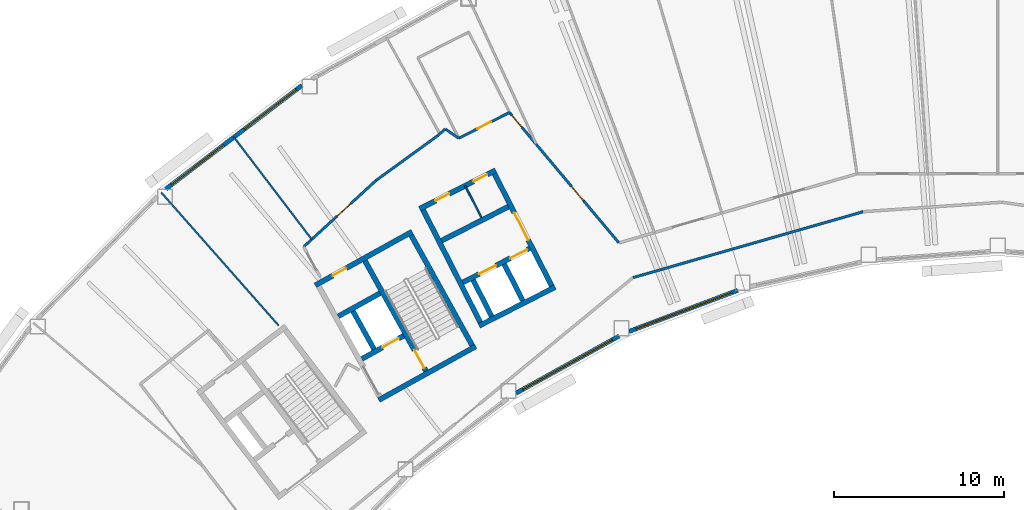
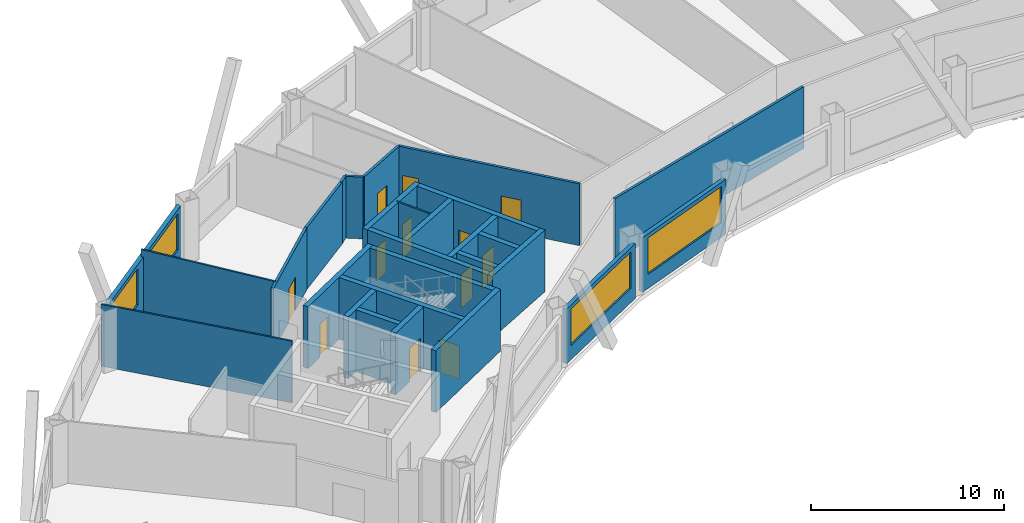
# One storey, part 6 of 14: 28 walls, 12 doors, 4 windows, 16 openings.
"""IFC4 building model written with IfcOpenShell, lengths in metres."""

from ifc_helpers import new_model, si_unit, direction, frame, frame_2d, origin, place, context, subcontext, project, spatial, rectangle, extrude, material, layer, layer_set, type_object, element, fill, save


model = new_model("IFC4")

# Units and contexts
model_context = context("Model", 3, precision=1e-05, world=origin(), true_north=direction((0.0, 1.0)))
body_context = subcontext(model_context, "Body", "Model", "MODEL_VIEW")
ifc_project = project(units=[si_unit("LENGTHUNIT", "METRE"), si_unit("AREAUNIT", "SQUARE_METRE"), si_unit("VOLUMEUNIT", "CUBIC_METRE"), si_unit("PLANEANGLEUNIT", "RADIAN"), si_unit("MASSUNIT", "GRAM", prefix="KILO")], contexts=[model_context])

# Site, building, storey
site_placement = place(None, origin())
site = spatial("IfcSite", under=ifc_project, at=site_placement, CompositionType="ELEMENT")
building_placement = place(site_placement, origin())
building = spatial("IfcBuilding", under=site, at=building_placement, Name="Tuul Gate Civic Tower", CompositionType="ELEMENT")
storey_placement = place(building_placement, frame((0.0, 0.0, 209.5)))
storey = spatial("IfcBuildingStorey", under=building, at=storey_placement, Name="Level 47", CompositionType="ELEMENT", Elevation=209.5)

# Wall
ifc_material_1 = material(Name="Concrete C50/60", Category="concrete")
ifc_layer_1 = layer(ifc_material_1, 0.300048828125)
ifc_layer_set_1 = layer_set([ifc_layer_1], Name="Concrete C50/60")
wall_type_1 = type_object("IfcWallType", Name="Core wall C50/60", PredefinedType="SHEAR", material=ifc_layer_set_1)
wall_1_placement = place(storey_placement, frame((-24.711669921875, -8.7158203125, 0.0), z_axis=(0.0, 0.0, 1.0), x_axis=(-0.874629909008, -0.484791215132, 0.0)))
element("IfcWall", 1, at=wall_1_placement, inside=storey, type_object=wall_type_1, Name="Core wall", PredefinedType="SHEAR", context=body_context, shape_type="SweptSolid", body=[
    extrude(rectangle(XDim=6.5, YDim=0.300048828125, at=frame_2d((3.25, 0.0))), origin(), (0.0, 0.0, 1.0), 3.89990234375),
])

# Wall, opening, door
wall_2_placement = place(storey_placement, frame((-28.94580078125, -8.090087890625, 0.0), z_axis=(0.0, 0.0, 1.0), x_axis=(-0.874629840737, -0.484791338301, 0.0)))
wall_2 = element("IfcWall", 2, at=wall_2_placement, inside=storey, type_object=wall_type_1, Name="Core wall", PredefinedType="SHEAR", context=body_context, shape_type="SweptSolid", body=[
    extrude(rectangle(XDim=2.800048828125, YDim=0.300048828125, at=frame_2d((1.39990234375, 0.0))), origin(), (0.0, 0.0, 1.0), 3.89990234375),
])
opening_1_placement = place(wall_2_placement, frame((0.324951171875, 0.0, 0.0)))
opening_1 = element("IfcOpeningElement", 3, at=opening_1_placement, cuts=wall_2, Name="Opening LD-FF-1", PredefinedType="OPENING", context=body_context, shape_type="SweptSolid", body=[
    extrude(rectangle(XDim=1.10009765625, YDim=2.10009765625, at=frame_2d((0.550048828125, 1.050048828125))), frame((0.0, 0.16015625, 0.0), z_axis=(0.0, -1.0, 0.0), x_axis=(1.0, 0.0, 0.0)), (0.0, 0.0, 1.0), 0.320068359375),
])
ifc_material_2 = material(Name="Stainless steel", Category="steel")
door_type_1 = type_object("IfcDoorType", Name="Landing door", OperationType="DOUBLE_DOOR_SLIDING", PredefinedType="DOOR", material=ifc_material_2)
door_1_placement = place(opening_1_placement, origin())
door_1 = element("IfcDoor", 4, at=door_1_placement, inside=storey, type_object=door_type_1, Name="Fire-fighting lift FF-1 landing door", OperationType="DOUBLE_DOOR_SLIDING", OverallHeight=2.10009765625, OverallWidth=1.10009765625, PredefinedType="DOOR", context=body_context, shape_type="SweptSolid", body=[
    extrude(rectangle(XDim=1.10009765625, YDim=2.10009765625, at=frame_2d((0.550048828125, 1.050048828125))), frame((0.0, 0.02490234375, 0.0), z_axis=(0.0, -1.0, 0.0), x_axis=(1.0, 0.0, 0.0)), (0.0, 0.0, 1.0), 0.050048828125),
])
fill(opening_1, door_1)

# Wall
wall_3_placement = place(storey_placement, frame((-30.327392578125, -5.59716796875, 0.0), z_axis=(0.0, 0.0, 1.0), x_axis=(-0.874629840737, -0.484791338301, 0.0)))
element("IfcWall", 5, at=wall_3_placement, inside=storey, type_object=wall_type_1, Name="Core wall", PredefinedType="SHEAR", context=body_context, shape_type="SweptSolid", body=[
    extrude(rectangle(XDim=2.800048828125, YDim=0.300048828125, at=frame_2d((1.39990234375, 0.0))), origin(), (0.0, 0.0, 1.0), 3.89990234375),
])

# Wall, opening, door
wall_4_placement = place(storey_placement, frame((-28.4443359375, -1.98095703125, 0.0), z_axis=(0.0, 0.0, 1.0), x_axis=(-0.874629909008, -0.484791215132, 0.0)))
wall_4 = element("IfcWall", 6, at=wall_4_placement, inside=storey, type_object=wall_type_1, Name="Core wall", PredefinedType="SHEAR", context=body_context, shape_type="SweptSolid", body=[
    extrude(rectangle(XDim=6.5, YDim=0.300048828125, at=frame_2d((3.25, 0.0))), origin(), (0.0, 0.0, 1.0), 3.89990234375),
])
opening_2_placement = place(wall_4_placement, frame((4.425048828125, 0.0, 0.0)))
opening_2 = element("IfcOpeningElement", 7, at=opening_2_placement, cuts=wall_4, Name="Opening Q-D27", PredefinedType="OPENING", context=body_context, shape_type="SweptSolid", body=[
    extrude(rectangle(XDim=0.89990234375, YDim=2.10009765625, at=frame_2d((0.449951171875, 1.050048828125))), frame((0.0, 0.16015625, 0.0), z_axis=(0.0, -1.0, 0.0), x_axis=(1.0, 0.0, 0.0)), (0.0, 0.0, 1.0), 0.320068359375),
])
ifc_material_3 = material(Name="Timber door leaf", Category="wood")
door_type_2 = type_object("IfcDoorType", Name="Door D09", OperationType="NOTDEFINED", PredefinedType="DOOR", material=ifc_material_3)
door_2_placement = place(opening_2_placement, origin())
door_2 = element("IfcDoor", 8, at=door_2_placement, inside=storey, type_object=door_type_2, Name="Door Q-D27", OperationType="SINGLE_SWING_LEFT", OverallHeight=2.10009765625, OverallWidth=0.89990234375, PredefinedType="DOOR", context=body_context, shape_type="SweptSolid", body=[
    extrude(rectangle(XDim=0.89990234375, YDim=2.10009765625, at=frame_2d((0.449951171875, 1.050048828125))), frame((0.0, 0.02490234375, 0.0), z_axis=(0.0, -1.0, 0.0), x_axis=(1.0, 0.0, 0.0)), (0.0, 0.0, 1.0), 0.050048828125),
])
fill(opening_2, door_2)

# Wall
wall_5_placement = place(storey_placement, frame((-24.91552734375, -8.6572265625, 0.0), z_axis=(0.0, 0.0, 1.0), x_axis=(-0.484777133038, 0.874637714304, 0.0)))
element("IfcWall", 9, at=wall_5_placement, inside=storey, type_object=wall_type_1, Name="Core wall", PredefinedType="SHEAR", context=body_context, shape_type="SweptSolid", body=[
    extrude(rectangle(XDim=7.400146484375, YDim=0.300048828125, at=frame_2d((3.7001953125, 0.0))), origin(), (0.0, 0.0, 1.0), 3.89990234375),
])

# Wall, opening, door
wall_6_placement = place(storey_placement, frame((-27.626953125, -10.16015625, 0.0), z_axis=(0.0, 0.0, 1.0), x_axis=(-0.484751894226, 0.874651702704, 0.0)))
wall_6 = element("IfcWall", 10, at=wall_6_placement, inside=storey, type_object=wall_type_1, Name="Core wall", PredefinedType="SHEAR", context=body_context, shape_type="SweptSolid", body=[
    extrude(rectangle(XDim=7.39990234375, YDim=0.300048828125, at=frame_2d((3.699951171875, 0.0))), origin(), (0.0, 0.0, 1.0), 3.89990234375),
])
opening_3_placement = place(wall_6_placement, frame((0.199951171875, 0.0, 0.0)))
opening_3 = element("IfcOpeningElement", 11, at=opening_3_placement, cuts=wall_6, Name="Opening SD-ST-2", PredefinedType="OPENING", context=body_context, shape_type="SweptSolid", body=[
    extrude(rectangle(XDim=1.199951171875, YDim=2.10009765625, at=frame_2d((0.60009765625, 1.050048828125))), frame((0.0, 0.16015625, 0.0), z_axis=(0.0, -1.0, 0.0), x_axis=(1.0, 0.0, 0.0)), (0.0, 0.0, 1.0), 0.320068359375),
])
ifc_material_4 = material(Name="Steel", Category="steel")
door_type_3 = type_object("IfcDoorType", Name="Stair door", OperationType="NOTDEFINED", PredefinedType="DOOR", material=ifc_material_4)
door_3_placement = place(opening_3_placement, origin())
door_3 = element("IfcDoor", 12, at=door_3_placement, inside=storey, type_object=door_type_3, Name="Stair door ST-2", OperationType="SINGLE_SWING_LEFT", OverallHeight=2.10009765625, OverallWidth=1.199951171875, PredefinedType="DOOR", context=body_context, shape_type="SweptSolid", body=[
    extrude(rectangle(XDim=1.199951171875, YDim=2.10009765625, at=frame_2d((0.60009765625, 1.050048828125))), frame((0.0, 0.02490234375, 0.0), z_axis=(0.0, -1.0, 0.0), x_axis=(1.0, 0.0, 0.0)), (0.0, 0.0, 1.0), 0.050048828125),
])
fill(opening_3, door_3)

# Wall
wall_7_placement = place(storey_placement, frame((-30.680419921875, -8.8798828125, 0.0), z_axis=(0.0, 0.0, 1.0), x_axis=(-0.484724115216, 0.874667097888, 0.0)))
element("IfcWall", 13, at=wall_7_placement, inside=storey, type_object=wall_type_1, Name="Core wall", PredefinedType="SHEAR", context=body_context, shape_type="SweptSolid", body=[
    extrude(rectangle(XDim=2.550048828125, YDim=0.300048828125, at=frame_2d((1.27490234375, 0.0))), origin(), (0.0, 0.0, 1.0), 3.89990234375),
])

# Wall, openings, doors
ifc_material_5 = material(Name="Gypsum board partition")
ifc_layer_2 = layer(ifc_material_5, 0.14990234375)
ifc_layer_set_2 = layer_set([ifc_layer_2], Name="Gypsum board partition")
wall_type_2 = type_object("IfcWallType", Name="Corridor wall P150", PredefinedType="PARTITIONING", material=ifc_layer_set_2)
wall_8_placement = place(storey_placement, frame((-22.725341796875, 5.02001953125, 0.0), z_axis=(0.0, 0.0, 1.0), x_axis=(0.642708565691, -0.766110761957, 0.0)))
wall_8 = element("IfcWall", 14, at=wall_8_placement, inside=storey, type_object=wall_type_2, Name="p038", PredefinedType="PARTITIONING", context=body_context, shape_type="SweptSolid", body=[
    extrude(rectangle(XDim=9.985107421875, YDim=0.14990234375, at=frame_2d((4.99267578125, 0.0))), origin(), (0.0, 0.0, 1.0), 3.89990234375),
])
opening_4_placement = place(wall_8_placement, frame((5.66748046875, 0.0, 0.0)))
opening_4 = element("IfcOpeningElement", 15, at=opening_4_placement, cuts=wall_8, Name="Opening Q-D15", PredefinedType="OPENING", context=body_context, shape_type="SweptSolid", body=[
    extrude(rectangle(XDim=1.10009765625, YDim=2.10009765625, at=frame_2d((0.550048828125, 1.050048828125))), frame((0.0, 0.0849609375, 0.0), z_axis=(0.0, -1.0, 0.0), x_axis=(1.0, 0.0, 0.0)), (0.0, 0.0, 1.0), 0.169921875),
])
opening_5_placement = place(wall_8_placement, frame((0.23193359375, 0.0, 0.0)))
opening_5 = element("IfcOpeningElement", 16, at=opening_5_placement, cuts=wall_8, Name="Opening Q-D25", PredefinedType="OPENING", context=body_context, shape_type="SweptSolid", body=[
    extrude(rectangle(XDim=0.89990234375, YDim=2.10009765625, at=frame_2d((0.449951171875, 1.050048828125))), frame((0.0, 0.0849609375, 0.0), z_axis=(0.0, -1.0, 0.0), x_axis=(1.0, 0.0, 0.0)), (0.0, 0.0, 1.0), 0.169921875),
])
door_4_placement = place(opening_5_placement, frame((0.89990234375, 0.0, 0.0), z_axis=(0.0, 0.0, 1.0), x_axis=(-1.0, 0.0, 0.0)))
door_4 = element("IfcDoor", 17, at=door_4_placement, inside=storey, type_object=door_type_2, Name="Door Q-D25", OperationType="SINGLE_SWING_RIGHT", OverallHeight=2.10009765625, OverallWidth=0.89990234375, PredefinedType="DOOR", context=body_context, shape_type="SweptSolid", body=[
    extrude(rectangle(XDim=0.89990234375, YDim=2.10009765625, at=frame_2d((0.449951171875, 1.050048828125))), frame((0.0, 0.02490234375, 0.0), z_axis=(0.0, -1.0, 0.0), x_axis=(1.0, 0.0, 0.0)), (0.0, 0.0, 1.0), 0.050048828125),
])
fill(opening_5, door_4)
ifc_material_6 = material(Name="Timber door leaf", Category="wood")
door_type_4 = type_object("IfcDoorType", Name="Door D11", OperationType="NOTDEFINED", PredefinedType="DOOR", material=ifc_material_6)
door_5_placement = place(opening_4_placement, origin())
door_5 = element("IfcDoor", 18, at=door_5_placement, inside=storey, type_object=door_type_4, Name="Door Q-D15", OperationType="SINGLE_SWING_RIGHT", OverallHeight=2.10009765625, OverallWidth=1.10009765625, PredefinedType="DOOR", context=body_context, shape_type="SweptSolid", body=[
    extrude(rectangle(XDim=1.10009765625, YDim=2.10009765625, at=frame_2d((0.550048828125, 1.050048828125))), frame((0.0, 0.02490234375, 0.0), z_axis=(0.0, -1.0, 0.0), x_axis=(1.0, 0.0, 0.0)), (0.0, 0.0, 1.0), 0.050048828125),
])
fill(opening_4, door_5)

# Wall
wall_9_placement = place(storey_placement, frame((-30.564453125, 1.026611328125, 0.0), z_axis=(0.0, 0.0, 1.0), x_axis=(0.809223734311, 0.587500593896, 0.0)))
element("IfcWall", 19, at=wall_9_placement, inside=storey, type_object=wall_type_2, Name="p040", PredefinedType="PARTITIONING", context=body_context, shape_type="SweptSolid", body=[
    extrude(rectangle(XDim=4.457275390625, YDim=0.14990234375, at=frame_2d((2.228515625, 0.0))), origin(), (0.0, 0.0, 1.0), 3.89990234375),
])

# Wall, opening, door
wall_10_placement = place(storey_placement, frame((-25.702392578125, 3.503173828125, 0.0), z_axis=(0.0, 0.0, 1.0), x_axis=(0.891065074367, 0.453875570221, 0.0)))
wall_10 = element("IfcWall", 20, at=wall_10_placement, inside=storey, type_object=wall_type_2, Name="p041", PredefinedType="PARTITIONING", context=body_context, shape_type="SweptSolid", body=[
    extrude(rectangle(XDim=3.3505859375, YDim=0.14990234375, at=frame_2d((1.67529296875, 0.0))), origin(), (0.0, 0.0, 1.0), 3.89990234375),
])
opening_6_placement = place(wall_10_placement, frame((1.2265625, 0.0, 0.0)))
opening_6 = element("IfcOpeningElement", 21, at=opening_6_placement, cuts=wall_10, Name="Opening Q-D16", PredefinedType="OPENING", context=body_context, shape_type="SweptSolid", body=[
    extrude(rectangle(XDim=0.89990234375, YDim=2.10009765625, at=frame_2d((0.449951171875, 1.050048828125))), frame((0.0, 0.0849609375, 0.0), z_axis=(0.0, -1.0, 0.0), x_axis=(1.0, 0.0, 0.0)), (0.0, 0.0, 1.0), 0.169921875),
])
door_6_placement = place(opening_6_placement, origin())
door_6 = element("IfcDoor", 22, at=door_6_placement, inside=storey, type_object=door_type_2, Name="Door Q-D16", OperationType="SINGLE_SWING_RIGHT", OverallHeight=2.10009765625, OverallWidth=0.89990234375, PredefinedType="DOOR", context=body_context, shape_type="SweptSolid", body=[
    extrude(rectangle(XDim=0.89990234375, YDim=2.10009765625, at=frame_2d((0.449951171875, 1.050048828125))), frame((0.0, 0.02490234375, 0.0), z_axis=(0.0, -1.0, 0.0), x_axis=(1.0, 0.0, 0.0)), (0.0, 0.0, 1.0), 0.050048828125),
])
fill(opening_6, door_6)

# Wall
wall_11_placement = place(storey_placement, frame((-26.957275390625, 3.64599609375, 0.0), z_axis=(0.0, 0.0, 1.0), x_axis=(0.752625924752, 0.658448340715, 0.0)))
element("IfcWall", 23, at=wall_11_placement, inside=storey, type_object=wall_type_2, Name="p046", PredefinedType="PARTITIONING", context=body_context, shape_type="SweptSolid", body=[
    extrude(rectangle(XDim=0.614501953125, YDim=0.14990234375, at=frame_2d((0.30712890625, 0.0))), origin(), (0.0, 0.0, 1.0), 3.89990234375),
])

# Wall, opening, door
wall_12_placement = place(storey_placement, frame((-34.812255859375, -2.8671875, 0.0), z_axis=(0.0, 0.0, 1.0), x_axis=(0.737222738244, 0.675649786662, 0.0)))
wall_12 = element("IfcWall", 24, at=wall_12_placement, inside=storey, type_object=wall_type_2, Name="p048", PredefinedType="PARTITIONING", context=body_context, shape_type="SweptSolid", body=[
    extrude(rectangle(XDim=5.76123046875, YDim=0.14990234375, at=frame_2d((2.880615234375, 0.0))), origin(), (0.0, 0.0, 1.0), 3.89990234375),
])
opening_7_placement = place(wall_12_placement, frame((2.652099609375, 0.0, 0.0)))
opening_7 = element("IfcOpeningElement", 25, at=opening_7_placement, cuts=wall_12, Name="Opening Q-D17", PredefinedType="OPENING", context=body_context, shape_type="SweptSolid", body=[
    extrude(rectangle(XDim=1.10009765625, YDim=2.10009765625, at=frame_2d((0.550048828125, 1.050048828125))), frame((0.0, 0.0849609375, 0.0), z_axis=(0.0, -1.0, 0.0), x_axis=(1.0, 0.0, 0.0)), (0.0, 0.0, 1.0), 0.169921875),
])
door_7_placement = place(opening_7_placement, origin())
door_7 = element("IfcDoor", 26, at=door_7_placement, inside=storey, type_object=door_type_4, Name="Door Q-D17", OperationType="SINGLE_SWING_RIGHT", OverallHeight=2.10009765625, OverallWidth=1.10009765625, PredefinedType="DOOR", context=body_context, shape_type="SweptSolid", body=[
    extrude(rectangle(XDim=1.10009765625, YDim=2.10009765625, at=frame_2d((0.550048828125, 1.050048828125))), frame((0.0, 0.02490234375, 0.0), z_axis=(0.0, -1.0, 0.0), x_axis=(1.0, 0.0, 0.0)), (0.0, 0.0, 1.0), 0.050048828125),
])
fill(opening_7, door_7)

# Walls
wall_13_placement = place(storey_placement, frame((-15.473876953125, -4.677734375, 0.0), z_axis=(0.0, 0.0, 1.0), x_axis=(0.961325077695, 0.27541622137, 0.0)))
element("IfcWall", 27, at=wall_13_placement, inside=storey, type_object=wall_type_2, Name="p067", PredefinedType="PARTITIONING", context=body_context, shape_type="SweptSolid", body=[
    extrude(rectangle(XDim=14.054443359375, YDim=0.14990234375, at=frame_2d((7.02734375, 0.0))), origin(), (0.0, 0.0, 1.0), 3.89990234375),
])
wall_14_placement = place(storey_placement, frame((-26.494873046875, 4.050537109375, 0.0), z_axis=(0.0, 0.0, 1.0), x_axis=(0.822812234298, -0.568313317713, 0.0)))
element("IfcWall", 28, at=wall_14_placement, inside=storey, type_object=wall_type_2, Name="p078", PredefinedType="PARTITIONING", context=body_context, shape_type="SweptSolid", body=[
    extrude(rectangle(XDim=0.963134765625, YDim=0.14990234375, at=frame_2d((0.4814453125, 0.0))), origin(), (0.0, 0.0, 1.0), 3.89990234375),
])

# Wall, openings, windows
ifc_material_7 = material(Name="Precast concrete C40/50", Category="concrete")
ifc_layer_3 = layer(ifc_material_7, 0.25)
ifc_layer_set_3 = layer_set([ifc_layer_3], Name="Precast concrete C40/50")
wall_type_3 = type_object("IfcWallType", Name="External wall", PredefinedType="STANDARD", material=ifc_layer_set_3)
wall_15_placement = place(storey_placement, frame((-34.9130859375, 6.608642578125, 0.0), z_axis=(0.0, 0.0, 1.0), x_axis=(-0.795599673756, -0.605822712615, 0.0)))
wall_15 = element("IfcWall", 29, at=wall_15_placement, inside=storey, type_object=wall_type_3, Name="External wall", PredefinedType="STANDARD", context=body_context, shape_type="SweptSolid", body=[
    extrude(rectangle(XDim=10.0419921875, YDim=0.25, at=frame_2d((5.02099609375, 0.0))), origin(), (0.0, 0.0, 1.0), 3.449951171875),
])
opening_8_placement = place(wall_15_placement, frame((0.4091796875, 0.0, 0.89990234375)))
opening_8 = element("IfcOpeningElement", 30, at=opening_8_placement, cuts=wall_15, Name="Opening W22", PredefinedType="OPENING", context=body_context, shape_type="SweptSolid", body=[
    extrude(rectangle(XDim=3.85009765625, YDim=2.300048828125, at=frame_2d((1.925048828125, 1.14990234375))), frame((0.0, 0.135009765625, 0.0), z_axis=(0.0, -1.0, 0.0), x_axis=(1.0, 0.0, 0.0)), (0.0, 0.0, 1.0), 0.27001953125),
])
opening_9_placement = place(wall_15_placement, frame((5.780517578125, 0.0, 0.89990234375)))
opening_9 = element("IfcOpeningElement", 31, at=opening_9_placement, cuts=wall_15, Name="Opening W22", PredefinedType="OPENING", context=body_context, shape_type="SweptSolid", body=[
    extrude(rectangle(XDim=3.85009765625, YDim=2.300048828125, at=frame_2d((1.925048828125, 1.14990234375))), frame((0.0, 0.135009765625, 0.0), z_axis=(0.0, -1.0, 0.0), x_axis=(1.0, 0.0, 0.0)), (0.0, 0.0, 1.0), 0.27001953125),
])
ifc_material_8 = material(Name="Glass", Category="glass")
window_type_1 = type_object("IfcWindowType", Name="Window W22 3850 x 2300", PartitioningType="SINGLE_PANEL", PredefinedType="WINDOW", material=ifc_material_8)
window_1_placement = place(opening_8_placement, origin())
window_1 = element("IfcWindow", 32, at=window_1_placement, inside=storey, type_object=window_type_1, Name="Window", OverallHeight=2.300048828125, OverallWidth=3.85009765625, PartitioningType="SINGLE_PANEL", PredefinedType="WINDOW", context=body_context, shape_type="SweptSolid", body=[
    extrude(rectangle(XDim=3.85009765625, YDim=2.300048828125, at=frame_2d((1.925048828125, 1.14990234375))), frame((0.0, 0.030029296875, 0.0), z_axis=(0.0, -1.0, 0.0), x_axis=(1.0, 0.0, 0.0)), (0.0, 0.0, 1.0), 0.06005859375),
])
fill(opening_8, window_1)
window_2_placement = place(opening_9_placement, origin())
window_2 = element("IfcWindow", 33, at=window_2_placement, inside=storey, type_object=window_type_1, Name="Window", OverallHeight=2.300048828125, OverallWidth=3.85009765625, PartitioningType="SINGLE_PANEL", PredefinedType="WINDOW", context=body_context, shape_type="SweptSolid", body=[
    extrude(rectangle(XDim=3.85009765625, YDim=2.300048828125, at=frame_2d((1.925048828125, 1.14990234375))), frame((0.0, 0.030029296875, 0.0), z_axis=(0.0, -1.0, 0.0), x_axis=(1.0, 0.0, 0.0)), (0.0, 0.0, 1.0), 0.06005859375),
])
fill(opening_9, window_2)

# Wall, opening, window
wall_16_placement = place(storey_placement, frame((-22.3369140625, -11.46044921875, 0.0), z_axis=(0.0, 0.0, 1.0), x_axis=(0.874618182136, 0.484812371416, 0.0)))
wall_16 = element("IfcWall", 34, at=wall_16_placement, inside=storey, type_object=wall_type_3, Name="External wall", PredefinedType="STANDARD", context=body_context, shape_type="SweptSolid", body=[
    extrude(rectangle(XDim=6.9150390625, YDim=0.25, at=frame_2d((3.45751953125, 0.0))), origin(), (0.0, 0.0, 1.0), 3.449951171875),
])
opening_10_placement = place(wall_16_placement, frame((0.4619140625, 0.0, 0.89990234375)))
opening_10 = element("IfcOpeningElement", 35, at=opening_10_placement, cuts=wall_16, Name="Opening W26", PredefinedType="OPENING", context=body_context, shape_type="SweptSolid", body=[
    extrude(rectangle(XDim=6.0, YDim=2.300048828125, at=frame_2d((3.0, 1.14990234375))), frame((0.0, 0.135009765625, 0.0), z_axis=(0.0, -1.0, 0.0), x_axis=(1.0, 0.0, 0.0)), (0.0, 0.0, 1.0), 0.27001953125),
])
ifc_material_9 = material(Name="Glass", Category="glass")
window_type_2 = type_object("IfcWindowType", Name="Window W26 6000 x 2300", PartitioningType="SINGLE_PANEL", PredefinedType="WINDOW", material=ifc_material_9)
window_3_placement = place(opening_10_placement, origin())
window_3 = element("IfcWindow", 36, at=window_3_placement, inside=storey, type_object=window_type_2, Name="Window", OverallHeight=2.300048828125, OverallWidth=6.0, PartitioningType="SINGLE_PANEL", PredefinedType="WINDOW", context=body_context, shape_type="SweptSolid", body=[
    extrude(rectangle(XDim=6.0, YDim=2.300048828125, at=frame_2d((3.0, 1.14990234375))), frame((0.0, 0.030029296875, 0.0), z_axis=(0.0, -1.0, 0.0), x_axis=(1.0, 0.0, 0.0)), (0.0, 0.0, 1.0), 0.06005859375),
])
fill(opening_10, window_3)

wall_17_placement = place(storey_placement, frame((-15.697021484375, -7.8349609375, 0.0), z_axis=(0.0, 0.0, 1.0), x_axis=(0.935372377576, 0.35366441052, 0.0)))
wall_17 = element("IfcWall", 37, at=wall_17_placement, inside=storey, type_object=wall_type_3, Name="External wall", PredefinedType="STANDARD", context=body_context, shape_type="SweptSolid", body=[
    extrude(rectangle(XDim=6.819580078125, YDim=0.25, at=frame_2d((3.40966796875, 0.0))), origin(), (0.0, 0.0, 1.0), 3.449951171875),
])
opening_11_placement = place(wall_17_placement, frame((0.43798828125, 0.0, 0.89990234375)))
opening_11 = element("IfcOpeningElement", 38, at=opening_11_placement, cuts=wall_17, Name="Opening W26", PredefinedType="OPENING", context=body_context, shape_type="SweptSolid", body=[
    extrude(rectangle(XDim=6.0, YDim=2.300048828125, at=frame_2d((3.0, 1.14990234375))), frame((0.0, 0.135009765625, 0.0), z_axis=(0.0, -1.0, 0.0), x_axis=(1.0, 0.0, 0.0)), (0.0, 0.0, 1.0), 0.27001953125),
])
window_4_placement = place(opening_11_placement, origin())
window_4 = element("IfcWindow", 39, at=window_4_placement, inside=storey, type_object=window_type_2, Name="Window", OverallHeight=2.300048828125, OverallWidth=6.0, PartitioningType="SINGLE_PANEL", PredefinedType="WINDOW", context=body_context, shape_type="SweptSolid", body=[
    extrude(rectangle(XDim=6.0, YDim=2.300048828125, at=frame_2d((3.0, 1.14990234375))), frame((0.0, 0.030029296875, 0.0), z_axis=(0.0, -1.0, 0.0), x_axis=(1.0, 0.0, 0.0)), (0.0, 0.0, 1.0), 0.06005859375),
])
fill(opening_11, window_4)

# Wall
ifc_material_10 = material(Name="Concrete C40/50", Category="concrete")
ifc_layer_4 = layer(ifc_material_10, 0.300048828125)
ifc_layer_set_4 = layer_set([ifc_layer_4], Name="Concrete C40/50")
wall_type_4 = type_object("IfcWallType", Name="Lift shaft wall C40/50", PredefinedType="STANDARD", material=ifc_layer_set_4)
wall_18_placement = place(storey_placement, frame((-20.049072265625, -5.232421875, 0.0), z_axis=(0.0, 0.0, 1.0), x_axis=(-0.891002976909, -0.453997461601, 0.0)))
element("IfcWall", 40, at=wall_18_placement, inside=storey, type_object=wall_type_4, Name="Shaft wall", PredefinedType="STANDARD", context=body_context, shape_type="SweptSolid", body=[
    extrude(rectangle(XDim=5.0, YDim=0.300048828125, at=frame_2d((2.5, 0.0))), origin(), (0.0, 0.0, 1.0), 3.89990234375),
])

# Wall, openings, doors
wall_19_placement = place(storey_placement, frame((-21.542236328125, -2.962890625, 0.0), z_axis=(0.0, 0.0, 1.0), x_axis=(-0.891005618941, -0.453992276384, 0.0)))
wall_19 = element("IfcWall", 41, at=wall_19_placement, inside=storey, type_object=wall_type_4, Name="Shaft wall", PredefinedType="STANDARD", context=body_context, shape_type="SweptSolid", body=[
    extrude(rectangle(XDim=4.39990234375, YDim=0.300048828125, at=frame_2d((2.199951171875, 0.0))), origin(), (0.0, 0.0, 1.0), 3.89990234375),
])
opening_12_placement = place(wall_19_placement, frame((0.175048828125, 0.0, 0.0)))
opening_12 = element("IfcOpeningElement", 42, at=opening_12_placement, cuts=wall_19, Name="Opening LD-M1", PredefinedType="OPENING", context=body_context, shape_type="SweptSolid", body=[
    extrude(rectangle(XDim=1.10009765625, YDim=2.10009765625, at=frame_2d((0.550048828125, 1.050048828125))), frame((0.0, 0.16015625, 0.0), z_axis=(0.0, -1.0, 0.0), x_axis=(1.0, 0.0, 0.0)), (0.0, 0.0, 1.0), 0.320068359375),
])
opening_13_placement = place(wall_19_placement, frame((2.22509765625, 0.0, 0.0)))
opening_13 = element("IfcOpeningElement", 43, at=opening_13_placement, cuts=wall_19, Name="Opening LD-M2", PredefinedType="OPENING", context=body_context, shape_type="SweptSolid", body=[
    extrude(rectangle(XDim=1.10009765625, YDim=2.10009765625, at=frame_2d((0.550048828125, 1.050048828125))), frame((0.0, 0.16015625, 0.0), z_axis=(0.0, -1.0, 0.0), x_axis=(1.0, 0.0, 0.0)), (0.0, 0.0, 1.0), 0.320068359375),
])
door_8_placement = place(opening_12_placement, origin())
door_8 = element("IfcDoor", 44, at=door_8_placement, inside=storey, type_object=door_type_1, Name="Mid-rise lift M1 landing door", OperationType="DOUBLE_DOOR_SLIDING", OverallHeight=2.10009765625, OverallWidth=1.10009765625, PredefinedType="DOOR", context=body_context, shape_type="SweptSolid", body=[
    extrude(rectangle(XDim=1.10009765625, YDim=2.10009765625, at=frame_2d((0.550048828125, 1.050048828125))), frame((0.0, 0.02490234375, 0.0), z_axis=(0.0, -1.0, 0.0), x_axis=(1.0, 0.0, 0.0)), (0.0, 0.0, 1.0), 0.050048828125),
])
fill(opening_12, door_8)
door_9_placement = place(opening_13_placement, origin())
door_9 = element("IfcDoor", 45, at=door_9_placement, inside=storey, type_object=door_type_1, Name="Mid-rise lift M2 landing door", OperationType="DOUBLE_DOOR_SLIDING", OverallHeight=2.10009765625, OverallWidth=1.10009765625, PredefinedType="DOOR", context=body_context, shape_type="SweptSolid", body=[
    extrude(rectangle(XDim=1.10009765625, YDim=2.10009765625, at=frame_2d((0.550048828125, 1.050048828125))), frame((0.0, 0.02490234375, 0.0), z_axis=(0.0, -1.0, 0.0), x_axis=(1.0, 0.0, 0.0)), (0.0, 0.0, 1.0), 0.050048828125),
])
fill(opening_13, door_9)

# Wall
wall_20_placement = place(storey_placement, frame((-22.790771484375, -0.5126953125, 0.0), z_axis=(0.0, 0.0, 1.0), x_axis=(-0.891005618941, -0.453992276384, 0.0)))
element("IfcWall", 46, at=wall_20_placement, inside=storey, type_object=wall_type_4, Name="Shaft wall", PredefinedType="STANDARD", context=body_context, shape_type="SweptSolid", body=[
    extrude(rectangle(XDim=4.39990234375, YDim=0.300048828125, at=frame_2d((2.199951171875, 0.0))), origin(), (0.0, 0.0, 1.0), 3.89990234375),
])

# Wall, openings, doors
wall_21_placement = place(storey_placement, frame((-23.544921875, 1.62841796875, 0.0), z_axis=(0.0, 0.0, 1.0), x_axis=(-0.891002976909, -0.453997461601, 0.0)))
wall_21 = element("IfcWall", 47, at=wall_21_placement, inside=storey, type_object=wall_type_4, Name="Shaft wall", PredefinedType="STANDARD", context=body_context, shape_type="SweptSolid", body=[
    extrude(rectangle(XDim=5.0, YDim=0.300048828125, at=frame_2d((2.5, 0.0))), origin(), (0.0, 0.0, 1.0), 3.89990234375),
])
opening_14_placement = place(wall_21_placement, frame((0.550048828125, 0.0, 0.0)))
opening_14 = element("IfcOpeningElement", 48, at=opening_14_placement, cuts=wall_21, Name="Opening Q-D31", PredefinedType="OPENING", context=body_context, shape_type="SweptSolid", body=[
    extrude(rectangle(XDim=0.89990234375, YDim=2.10009765625, at=frame_2d((0.449951171875, 1.050048828125))), frame((0.0, 0.16015625, 0.0), z_axis=(0.0, -1.0, 0.0), x_axis=(1.0, 0.0, 0.0)), (0.0, 0.0, 1.0), 0.320068359375),
])
opening_15_placement = place(wall_21_placement, frame((3.050048828125, 0.0, 0.0)))
opening_15 = element("IfcOpeningElement", 49, at=opening_15_placement, cuts=wall_21, Name="Opening Q-D32", PredefinedType="OPENING", context=body_context, shape_type="SweptSolid", body=[
    extrude(rectangle(XDim=0.89990234375, YDim=2.10009765625, at=frame_2d((0.449951171875, 1.050048828125))), frame((0.0, 0.16015625, 0.0), z_axis=(0.0, -1.0, 0.0), x_axis=(1.0, 0.0, 0.0)), (0.0, 0.0, 1.0), 0.320068359375),
])
door_10_placement = place(opening_14_placement, origin())
door_10 = element("IfcDoor", 50, at=door_10_placement, inside=storey, type_object=door_type_2, Name="Door Q-D31", OperationType="SINGLE_SWING_RIGHT", OverallHeight=2.10009765625, OverallWidth=0.89990234375, PredefinedType="DOOR", context=body_context, shape_type="SweptSolid", body=[
    extrude(rectangle(XDim=0.89990234375, YDim=2.10009765625, at=frame_2d((0.449951171875, 1.050048828125))), frame((0.0, 0.02490234375, 0.0), z_axis=(0.0, -1.0, 0.0), x_axis=(1.0, 0.0, 0.0)), (0.0, 0.0, 1.0), 0.050048828125),
])
fill(opening_14, door_10)
door_11_placement = place(opening_15_placement, origin())
door_11 = element("IfcDoor", 51, at=door_11_placement, inside=storey, type_object=door_type_2, Name="Door Q-D32", OperationType="SINGLE_SWING_LEFT", OverallHeight=2.10009765625, OverallWidth=0.89990234375, PredefinedType="DOOR", context=body_context, shape_type="SweptSolid", body=[
    extrude(rectangle(XDim=0.89990234375, YDim=2.10009765625, at=frame_2d((0.449951171875, 1.050048828125))), frame((0.0, 0.02490234375, 0.0), z_axis=(0.0, -1.0, 0.0), x_axis=(1.0, 0.0, 0.0)), (0.0, 0.0, 1.0), 0.050048828125),
])
fill(opening_15, door_11)

# Wall, opening, door
wall_22_placement = place(storey_placement, frame((-20.2509765625, -5.166748046875, 0.0), z_axis=(0.0, 0.0, 1.0), x_axis=(-0.45401029361, 0.89099643843, 0.0)))
wall_22 = element("IfcWall", 52, at=wall_22_placement, inside=storey, type_object=wall_type_4, Name="Shaft wall", PredefinedType="STANDARD", context=body_context, shape_type="SweptSolid", body=[
    extrude(rectangle(XDim=7.39990234375, YDim=0.300048828125, at=frame_2d((3.699951171875, 0.0))), origin(), (0.0, 0.0, 1.0), 3.89990234375),
])
opening_16_placement = place(wall_22_placement, frame((3.02490234375, 0.0, 0.0)))
opening_16 = element("IfcOpeningElement", 53, at=opening_16_placement, cuts=wall_22, Name="Opening LB-W3-LOBBY-1", PredefinedType="OPENING", context=body_context, shape_type="SweptSolid", body=[
    extrude(rectangle(XDim=1.800048828125, YDim=2.10009765625, at=frame_2d((0.89990234375, 1.050048828125))), frame((0.0, 0.16015625, 0.0), z_axis=(0.0, -1.0, 0.0), x_axis=(1.0, 0.0, 0.0)), (0.0, 0.0, 1.0), 0.320068359375),
])
ifc_material_11 = material(Name="Steel", Category="steel")
door_type_5 = type_object("IfcDoorType", Name="Lobby door", OperationType="DOUBLE_DOOR_SINGLE_SWING", PredefinedType="DOOR", material=ifc_material_11)
door_12_placement = place(opening_16_placement, origin())
door_12 = element("IfcDoor", 54, at=door_12_placement, inside=storey, type_object=door_type_5, Name="Lobby door W3-LOBBY", OperationType="DOUBLE_DOOR_SINGLE_SWING", OverallHeight=2.10009765625, OverallWidth=1.800048828125, PredefinedType="DOOR", context=body_context, shape_type="SweptSolid", body=[
    extrude(rectangle(XDim=1.800048828125, YDim=2.10009765625, at=frame_2d((0.89990234375, 1.050048828125))), frame((0.0, 0.02490234375, 0.0), z_axis=(0.0, -1.0, 0.0), x_axis=(1.0, 0.0, 0.0)), (0.0, 0.0, 1.0), 0.050048828125),
])
fill(opening_16, door_12)

# Walls
for number, where, z_axis, x_axis, name in (
    (55, (-21.94384765625, -6.029296875, 0.0), (0.0, 0.0, 1.0), (-0.45403702923, 0.890982814698, 0.0), "Shaft wall"),
    (56, (-23.770263671875, -6.960205078125, 0.0), (0.0, 0.0, 1.0), (-0.45399587725, 0.891003784189, 0.0), "Shaft wall"),
):
    element("IfcWall", number, at=place(storey_placement, frame(where, z_axis=z_axis, x_axis=x_axis)), inside=storey, type_object=wall_type_4, Name=name, PredefinedType="STANDARD", context=body_context, shape_type="SweptSolid", body=[
        extrude(rectangle(XDim=2.39990234375, YDim=0.300048828125, at=frame_2d((1.199951171875, 0.0))), origin(), (0.0, 0.0, 1.0), 3.89990234375),
    ])
wall_23_placement = place(storey_placement, frame((-24.438720703125, -7.300537109375, 0.0), z_axis=(0.0, 0.0, 1.0), x_axis=(-0.453984101083, 0.891009784438, 0.0)))
element("IfcWall", 57, at=wall_23_placement, inside=storey, type_object=wall_type_4, Name="Shaft wall", PredefinedType="STANDARD", context=body_context, shape_type="SweptSolid", body=[
    extrude(rectangle(XDim=7.399658203125, YDim=0.300048828125, at=frame_2d((3.69970703125, 0.0))), origin(), (0.0, 0.0, 1.0), 3.89990234375),
])
ifc_material_12 = material(Name="Gypsum board partition")
ifc_layer_5 = layer(ifc_material_12, 0.10009765625)
ifc_layer_set_5 = layer_set([ifc_layer_5], Name="Gypsum board partition")
wall_type_5 = type_object("IfcWallType", Name="Partition P100", PredefinedType="PARTITIONING", material=ifc_layer_set_5)
wall_24_placement = place(storey_placement, frame((-38.91015625, 3.5712890625, 0.0), z_axis=(0.0, 0.0, 1.0), x_axis=(0.605791715931, -0.795623275746, 0.0)))
element("IfcWall", 58, at=wall_24_placement, inside=storey, type_object=wall_type_5, Name="p045", PredefinedType="PARTITIONING", context=body_context, shape_type="SweptSolid", body=[
    extrude(rectangle(XDim=7.546875, YDim=0.10009765625, at=frame_2d((3.7734375, 0.0))), origin(), (0.0, 0.0, 1.0), 3.89990234375),
])
wall_25_placement = place(storey_placement, frame((-43.1767578125, 0.322509765625, 0.0), z_axis=(0.0, 0.0, 1.0), x_axis=(0.661688273228, -0.749779053504, 0.0)))
element("IfcWall", 59, at=wall_25_placement, inside=storey, type_object=wall_type_5, Name="p050", PredefinedType="PARTITIONING", context=body_context, shape_type="SweptSolid", body=[
    extrude(rectangle(XDim=10.420654296875, YDim=0.10009765625, at=frame_2d((5.21044921875, 0.0))), origin(), (0.0, 0.0, 1.0), 3.89990234375),
])
wall_26_placement = place(storey_placement, frame((-24.37353515625, -1.150634765625, 0.0), z_axis=(0.0, 0.0, 1.0), x_axis=(-0.453990218702, 0.891006667384, 0.0)))
element("IfcWall", 60, at=wall_26_placement, inside=storey, type_object=wall_type_5, Name="bW3-BAND-0", PredefinedType="PARTITIONING", context=body_context, shape_type="SweptSolid", body=[
    extrude(rectangle(XDim=2.10009765625, YDim=0.10009765625, at=frame_2d((1.050048828125, 0.0))), origin(), (0.0, 0.0, 1.0), 3.89990234375),
])

save(model, "model.ifc")
